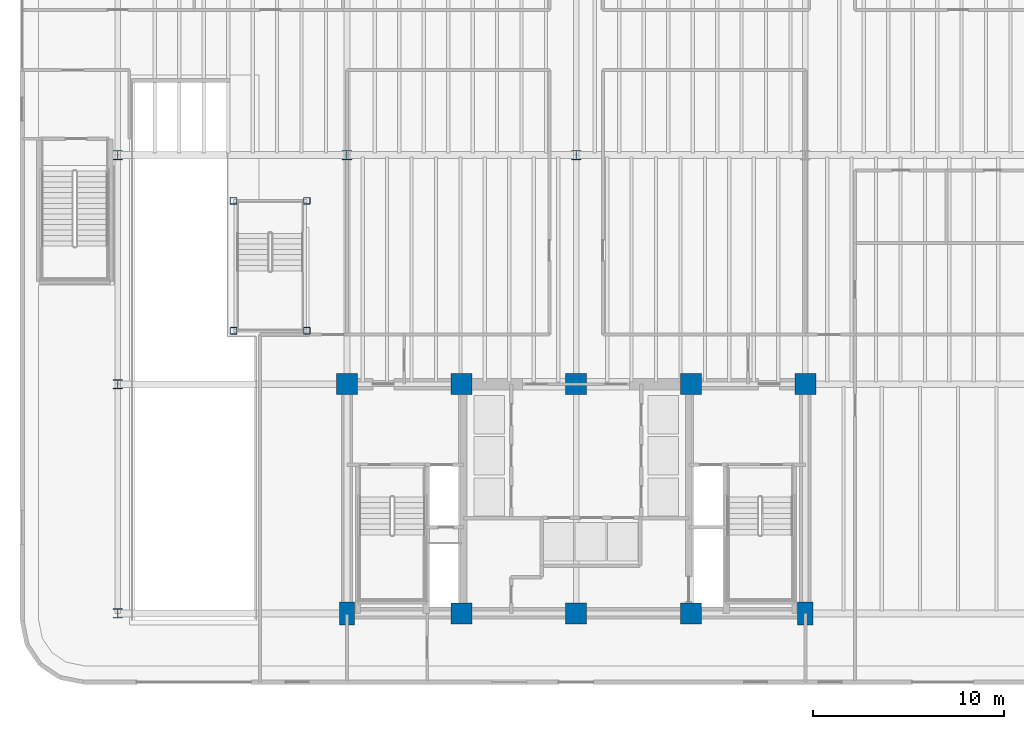
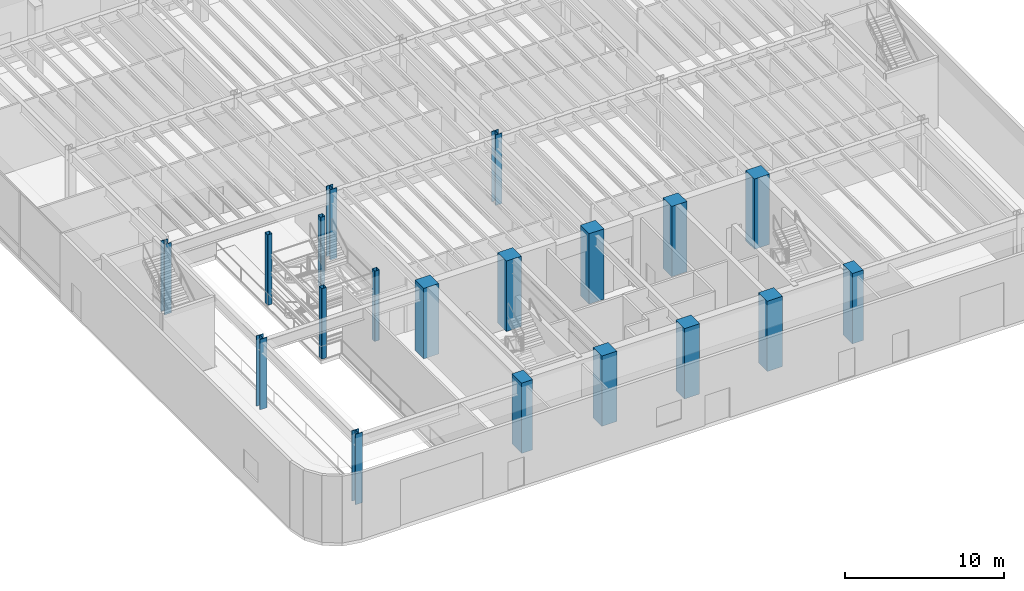
# One storey, part 1 of 17: 19 columns.
"""IFC4 building model written with IfcOpenShell, lengths in metres."""

from ifc_helpers import new_model, si_unit, direction, frame, origin, origin_2d, place, context, subcontext, project, spatial, rectangle, hollow_rectangle, i_section, extrude, source, transform, mapped, material, material_profile, profile_set, type_object, element, save


model = new_model("IFC4")

# Units and contexts
model_context = context("Model", 3, precision=1e-05, world=origin(), true_north=direction((0.0, 1.0)))
body_context = subcontext(model_context, "Body", "Model", "MODEL_VIEW")
ifc_project = project(units=[si_unit("LENGTHUNIT", "METRE"), si_unit("AREAUNIT", "SQUARE_METRE"), si_unit("VOLUMEUNIT", "CUBIC_METRE"), si_unit("PLANEANGLEUNIT", "RADIAN"), si_unit("MASSUNIT", "GRAM", prefix="KILO")], contexts=[model_context])

# Site, building, storey
site_placement = place(None, origin())
site = spatial("IfcSite", under=ifc_project, at=site_placement, CompositionType="ELEMENT")
building_placement = place(site_placement, origin())
building = spatial("IfcBuilding", under=site, at=building_placement, Name="Brelvock Crest Care Tower", CompositionType="ELEMENT")
storey_placement = place(building_placement, origin())
storey = spatial("IfcBuildingStorey", under=building, at=storey_placement, Name="L00", CompositionType="ELEMENT", Elevation=0.0)

# Columns
ifc_material_1 = material(Name="Concrete S80 (80 MPa)", Category="concrete")
ifc_material_profile_1 = material_profile(ifc_material_1, rectangle(XDim=0.800048828125, YDim=1.199951171875, at=origin_2d()), Name="RC800x1200")
ifc_profile_set_1 = profile_set([ifc_material_profile_1], Name="Concrete S80 (80 MPa)")
column_type_1 = type_object("IfcColumnType", Name="COL-RC5", PredefinedType="COLUMN", material=ifc_profile_set_1)
shared_shape_1 = source(origin(), body_context, "Body", "SweptSolid", [
    extrude(rectangle(XDim=0.800048828125, YDim=1.199951171875, at=origin_2d()), origin(), (0.0, 0.0, 1.0), 5.39990234375),
])
for number, where, z_axis, x_axis, name in (
    (1, (24.0, 6.0, 0.0), (0.0, 0.0, 1.0), (1.0, 0.0, 0.0), "L00 Core Column CC-01"),
    (2, (48.0, 6.0, 0.0), (0.0, 0.0, 1.0), (1.0, 0.0, 0.0), "L00 Core Column CC-05"),
):
    element("IfcColumn", number, at=place(storey_placement, frame(where, z_axis=z_axis, x_axis=x_axis)), inside=storey, type_object=column_type_1, Name=name, PredefinedType="COLUMN", context=body_context, shape_type="MappedRepresentation", body=[
        mapped(shared_shape_1, transform((0.0, 0.0, 0.0), x_axis=(1.0, 0.0, 0.0), y_axis=(0.0, 1.0, 0.0), z_axis=(0.0, 0.0, 1.0), scale=1.0)),
    ])
ifc_material_profile_2 = material_profile(ifc_material_1, rectangle(XDim=1.10009765625, YDim=1.10009765625, at=origin_2d()), Name="RC1100x1100")
ifc_profile_set_2 = profile_set([ifc_material_profile_2], Name="Concrete S80 (80 MPa)")
column_type_2 = type_object("IfcColumnType", Name="COL-RC1", PredefinedType="COLUMN", material=ifc_profile_set_2)
shared_shape_2 = source(origin(), body_context, "Body", "SweptSolid", [
    extrude(rectangle(XDim=1.10009765625, YDim=1.10009765625, at=origin_2d()), origin(), (0.0, 0.0, 1.0), 5.39990234375),
])
for number, where, z_axis, x_axis, name in (
    (3, (30.0, 6.0, 0.0), (0.0, 0.0, 1.0), (1.0, 0.0, 0.0), "L00 Core Column CC-02"),
    (4, (36.0, 6.0, 0.0), (0.0, 0.0, 1.0), (1.0, 0.0, 0.0), "L00 Core Column CC-03"),
    (5, (42.0, 6.0, 0.0), (0.0, 0.0, 1.0), (1.0, 0.0, 0.0), "L00 Core Column CC-04"),
    (6, (24.0, 18.0, 0.0), (0.0, 0.0, 1.0), (1.0, 0.0, 0.0), "L00 Core Column CC-06"),
    (7, (30.0, 18.0, 0.0), (0.0, 0.0, 1.0), (1.0, 0.0, 0.0), "L00 Core Column CC-07"),
    (8, (36.0, 18.0, 0.0), (0.0, 0.0, 1.0), (1.0, 0.0, 0.0), "L00 Core Column CC-08"),
    (9, (42.0, 18.0, 0.0), (0.0, 0.0, 1.0), (1.0, 0.0, 0.0), "L00 Core Column CC-09"),
    (10, (48.0, 18.0, 0.0), (0.0, 0.0, 1.0), (1.0, 0.0, 0.0), "L00 Core Column CC-10"),
):
    element("IfcColumn", number, at=place(storey_placement, frame(where, z_axis=z_axis, x_axis=x_axis)), inside=storey, type_object=column_type_2, Name=name, PredefinedType="COLUMN", context=body_context, shape_type="MappedRepresentation", body=[
        mapped(shared_shape_2, transform((0.0, 0.0, 0.0), x_axis=(1.0, 0.0, 0.0), y_axis=(0.0, 1.0, 0.0), z_axis=(0.0, 0.0, 1.0), scale=1.0)),
    ])
ifc_material_2 = material(Name="Steel Grade 350", Category="steel")
ifc_material_profile_3 = material_profile(ifc_material_2, i_section(OverallWidth=0.5, OverallDepth=0.5, WebThickness=0.028076171875, FlangeThickness=0.044921875, at=origin_2d()), Name="500WC440")
ifc_profile_set_3 = profile_set([ifc_material_profile_3], Name="Steel Grade 350")
column_type_3 = type_object("IfcColumnType", Name="COL-PC1", PredefinedType="COLUMN", material=ifc_profile_set_3)
shared_shape_3 = source(origin(), body_context, "Body", "SweptSolid", [
    extrude(i_section(OverallWidth=0.5, OverallDepth=0.5, WebThickness=0.028076171875, FlangeThickness=0.044921875, at=origin_2d()), origin(), (0.0, 0.0, 1.0), 5.39990234375),
])
for number, where, z_axis, x_axis, name in (
    (11, (12.0, 6.0, 0.0), (0.0, 0.0, 1.0), (1.0, 0.0, 0.0), "L00 Podium Column PC-01"),
    (12, (12.0, 18.0, 0.0), (0.0, 0.0, 1.0), (1.0, 0.0, 0.0), "L00 Podium Column PC-03"),
    (13, (12.0, 30.0, 0.0), (0.0, 0.0, 1.0), (1.0, 0.0, 0.0), "L00 Podium Column PC-05"),
    (14, (24.0, 30.0, 0.0), (0.0, 0.0, 1.0), (1.0, 0.0, 0.0), "L00 Podium Column PC-06"),
    (15, (36.0, 30.0, 0.0), (0.0, 0.0, 1.0), (1.0, 0.0, 0.0), "L00 Podium Column PC-07"),
):
    element("IfcColumn", number, at=place(storey_placement, frame(where, z_axis=z_axis, x_axis=x_axis)), inside=storey, type_object=column_type_3, Name=name, PredefinedType="COLUMN", context=body_context, shape_type="MappedRepresentation", body=[
        mapped(shared_shape_3, transform((0.0, 0.0, 0.0), x_axis=(1.0, 0.0, 0.0), y_axis=(0.0, 1.0, 0.0), z_axis=(0.0, 0.0, 1.0), scale=1.0)),
    ])
ifc_material_profile_4 = material_profile(ifc_material_2, hollow_rectangle(XDim=0.35009765625, YDim=0.35009765625, WallThickness=0.01611328125, OuterFilletRadius=0.031982421875, at=origin_2d()), Name="SHS350x350x16.0")
ifc_profile_set_4 = profile_set([ifc_material_profile_4], Name="Steel Grade 350")
column_type_4 = type_object("IfcColumnType", Name="COL-CR2", PredefinedType="COLUMN", material=ifc_profile_set_4)
shared_shape_4 = source(origin(), body_context, "Body", "SweptSolid", [
    extrude(hollow_rectangle(XDim=0.35009765625, YDim=0.35009765625, WallThickness=0.01611328125, OuterFilletRadius=0.031982421875, at=origin_2d()), origin(), (0.0, 0.0, 1.0), 5.39990234375),
])
for number, where, z_axis, x_axis, name in (
    (16, (18.06005859375, 20.800048828125, 0.0), (0.0, 0.0, 1.0), (1.0, 0.0, 0.0), "L00 Atrium Stair ST-5 Support Post SW"),
    (17, (21.89990234375, 20.800048828125, 0.0), (0.0, 0.0, 1.0), (1.0, 0.0, 0.0), "L00 Atrium Stair ST-5 Support Post SE"),
    (18, (18.06005859375, 27.60009765625, 0.0), (0.0, 0.0, 1.0), (1.0, 0.0, 0.0), "L00 Atrium Stair ST-5 Support Post NW"),
    (19, (21.89990234375, 27.60009765625, 0.0), (0.0, 0.0, 1.0), (1.0, 0.0, 0.0), "L00 Atrium Stair ST-5 Support Post NE"),
):
    element("IfcColumn", number, at=place(storey_placement, frame(where, z_axis=z_axis, x_axis=x_axis)), inside=storey, type_object=column_type_4, Name=name, PredefinedType="COLUMN", context=body_context, shape_type="MappedRepresentation", body=[
        mapped(shared_shape_4, transform((0.0, 0.0, 0.0), x_axis=(1.0, 0.0, 0.0), y_axis=(0.0, 1.0, 0.0), z_axis=(0.0, 0.0, 1.0), scale=1.0)),
    ])

save(model, "model.ifc")
